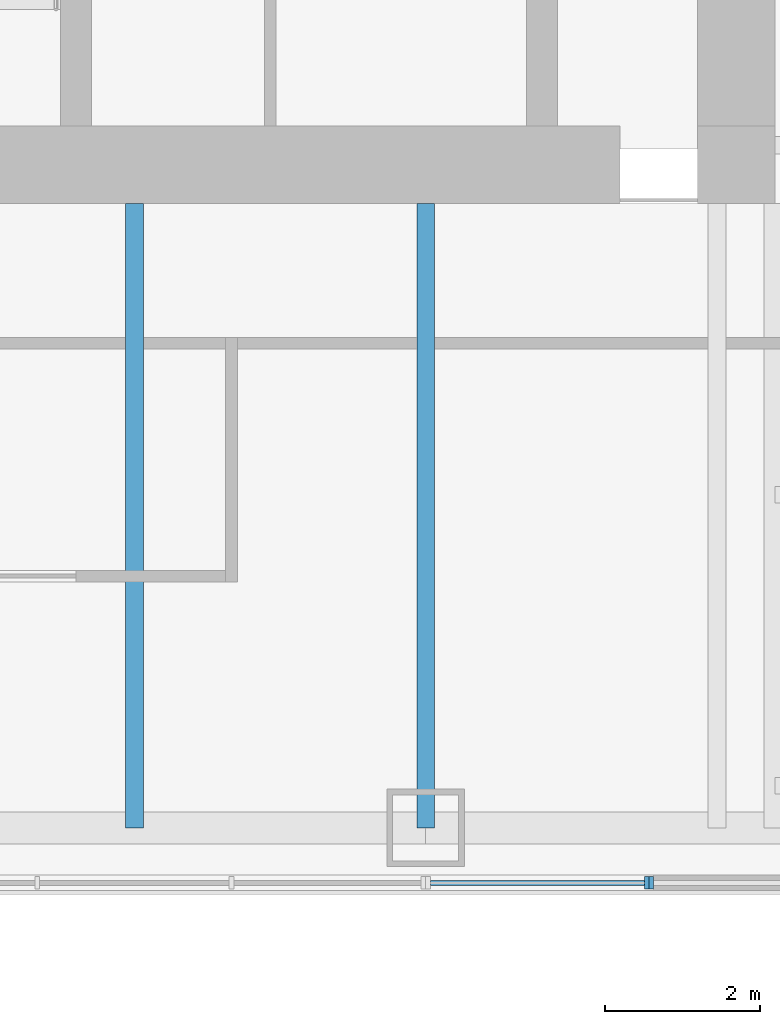
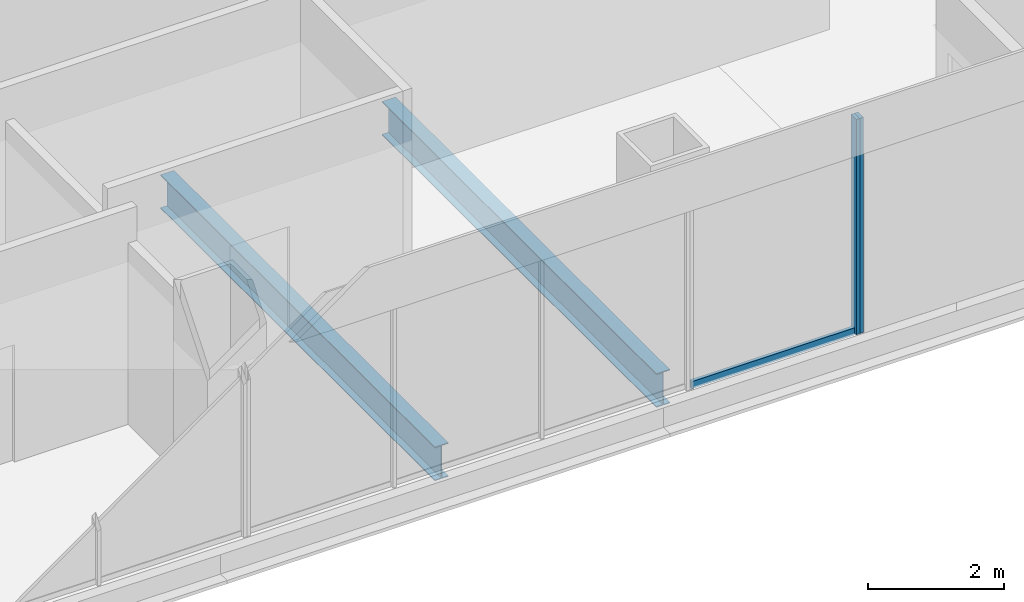
# One storey, part 3 of 14: 3 members, 2 beams, 2 elements without a shape of their own.
"""IFC4 building model written with IfcOpenShell, lengths in metres."""

from ifc_helpers import new_model, si_unit, direction, frame, origin, origin_2d, place, context, subcontext, project, spatial, rectangle, i_section, extrude, material, material_profile, profile_set, type_object, element, aggregate, save


model = new_model("IFC4")

# Units and contexts
model_context = context("Model", 3, precision=1e-05, world=origin(), true_north=direction((0.0, 1.0)))
body_context = subcontext(model_context, "Body", "Model", "MODEL_VIEW")
ifc_project = project(units=[si_unit("LENGTHUNIT", "METRE"), si_unit("AREAUNIT", "SQUARE_METRE"), si_unit("VOLUMEUNIT", "CUBIC_METRE"), si_unit("PLANEANGLEUNIT", "RADIAN"), si_unit("MASSUNIT", "GRAM", prefix="KILO")], contexts=[model_context])

# Site, building, storey
site_placement = place(None, origin())
site = spatial("IfcSite", under=ifc_project, at=site_placement, CompositionType="ELEMENT")
building_placement = place(site_placement, origin())
building = spatial("IfcBuilding", under=site, at=building_placement, Name="Tarangal Relay Tower", CompositionType="ELEMENT")
storey_placement = place(building_placement, frame((0.0, 0.0, 263.89990234375)))
storey = spatial("IfcBuildingStorey", under=building, at=storey_placement, Name="L57", CompositionType="ELEMENT", Elevation=263.89990234375)

# Beams
ifc_material_1 = material(Name="Steel ASTM A992", Category="steel")
ifc_material_profile_1 = material_profile(ifc_material_1, i_section(OverallWidth=0.228271484375, OverallDepth=0.607177734375, WebThickness=0.01123046875, FlangeThickness=0.017333984375, at=origin_2d()), Name="W24X76")
ifc_profile_set_1 = profile_set([ifc_material_profile_1], Name="Steel ASTM A992")
beam_type = type_object("IfcBeamType", Name="Floor beam W24X76", PredefinedType="BEAM", material=ifc_profile_set_1)
for number, where, z_axis, x_axis, name in (
    (1, (7.5, -12.0, -0.453369140625), (0.0, -1.0, 0.0), (1.0, 0.0, 0.0), "Floor beam RB5 S L57"),
    (2, (3.75, -12.0, -0.453369140625), (0.0, -1.0, 0.0), (1.0, 0.0, 0.0), "Floor beam RB5 S L57"),
):
    element("IfcBeam", number, at=place(storey_placement, frame(where, z_axis=z_axis, x_axis=x_axis)), inside=storey, type_object=beam_type, Name=name, PredefinedType="BEAM", context=body_context, shape_type="SweptSolid", body=[
        extrude(i_section(OverallWidth=0.228271484375, OverallDepth=0.607177734375, WebThickness=0.01123046875, FlangeThickness=0.017333984375, at=origin_2d()), origin(), (0.0, 0.0, 1.0), 8.0400390625),
    ])

# Curtain wall, member
ifc_material_2 = material(Name="Unitised curtain wall, dark glass and black aluminium", Category="aluminium")
curtain_wall_type_1 = type_object("IfcCurtainWallType", Name="Curtain wall CW-B", PredefinedType="USERDEFINED", material=ifc_material_2)
curtain_wall_1_placement = place(storey_placement, origin())
curtain_wall_1 = element("IfcCurtainWall", 3, at=curtain_wall_1_placement, inside=storey, type_object=curtain_wall_type_1, Name="Curtain wall CW-B S facade L57", ObjectType="UNITISED CURTAIN WALL", PredefinedType="USERDEFINED")
ifc_material_3 = material(Name="Black anodised aluminium mullion", Category="aluminium")
ifc_material_profile_2 = material_profile(ifc_material_3, rectangle(XDim=0.159912109375, YDim=0.06005859375, at=origin_2d()), Name="CW-BM 60X160")
ifc_profile_set_2 = profile_set([ifc_material_profile_2], Name="Black anodised aluminium mullion")
member_type_1 = type_object("IfcMemberType", Name="Mullion CW-B 60 x 160", PredefinedType="MULLION", material=ifc_profile_set_2)
member_1_placement = place(storey_placement, frame((10.344970703125, -20.75, 0.0), z_axis=(0.0, 0.0, 1.0), x_axis=(0.0, -1.0, 0.0)))
member_1 = element("IfcMember", 4, at=member_1_placement, type_object=member_type_1, Name="CW-B mullion 1", PredefinedType="MULLION", context=body_context, shape_type="SweptSolid", body=[
    extrude(rectangle(XDim=0.159912109375, YDim=0.06005859375, at=origin_2d()), origin(), (0.0, 0.0, 1.0), 3.85009765625),
])

ifc_material_4 = material(Name="Unitised curtain wall frame, black aluminium, with metal clad infill walls", Category="aluminium")
curtain_wall_type_2 = type_object("IfcCurtainWallType", Name="Curtain wall CW-BO", PredefinedType="USERDEFINED", material=ifc_material_4)
curtain_wall_2_placement = place(storey_placement, origin())
curtain_wall_2 = element("IfcCurtainWall", 5, at=curtain_wall_2_placement, inside=storey, type_object=curtain_wall_type_2, Name="Curtain wall CW-BO S facade L57", ObjectType="UNITISED CURTAIN WALL", PredefinedType="USERDEFINED")
ifc_material_profile_3 = material_profile(ifc_material_3, rectangle(XDim=0.159912109375, YDim=0.06005859375, at=origin_2d()), Name="CW-BOM 60X160")
ifc_profile_set_3 = profile_set([ifc_material_profile_3], Name="Black anodised aluminium mullion")
member_type_2 = type_object("IfcMemberType", Name="Mullion CW-BO 60 x 160", PredefinedType="MULLION", material=ifc_profile_set_3)
member_2_placement = place(storey_placement, frame((10.405029296875, -20.75, 0.0), z_axis=(0.0, 0.0, 1.0), x_axis=(0.0, -1.0, 0.0)))
member_2 = element("IfcMember", 6, at=member_2_placement, type_object=member_type_2, Name="CW-BO mullion 2", PredefinedType="MULLION", context=body_context, shape_type="SweptSolid", body=[
    extrude(rectangle(XDim=0.159912109375, YDim=0.06005859375, at=origin_2d()), origin(), (0.0, 0.0, 1.0), 3.85009765625),
])
aggregate(curtain_wall_2, [member_2])

# Member
ifc_material_5 = material(Name="Black anodised aluminium transom", Category="aluminium")
ifc_material_profile_4 = material_profile(ifc_material_5, rectangle(XDim=0.06005859375, YDim=0.1298828125, at=origin_2d()), Name="CW-BT 60X130")
ifc_profile_set_4 = profile_set([ifc_material_profile_4], Name="Black anodised aluminium transom")
member_type_3 = type_object("IfcMemberType", Name="Transom CW-B 60 x 130", PredefinedType="USERDEFINED", material=ifc_profile_set_4)
member_3_placement = place(storey_placement, frame((10.31494140625, -20.75, 0.030029296875), z_axis=(-1.0, 0.0, 0.0), x_axis=(0.0, -1.0, 0.0)))
member_3 = element("IfcMember", 7, at=member_3_placement, type_object=member_type_3, Name="CW-B transom 1.1", ObjectType="TRANSOM", PredefinedType="USERDEFINED", context=body_context, shape_type="SweptSolid", body=[
    extrude(rectangle(XDim=0.06005859375, YDim=0.1298828125, at=origin_2d()), origin(), (0.0, 0.0, 1.0), 2.7548828125),
])

aggregate(curtain_wall_1, [member_1, member_3])

save(model, "model.ifc")
